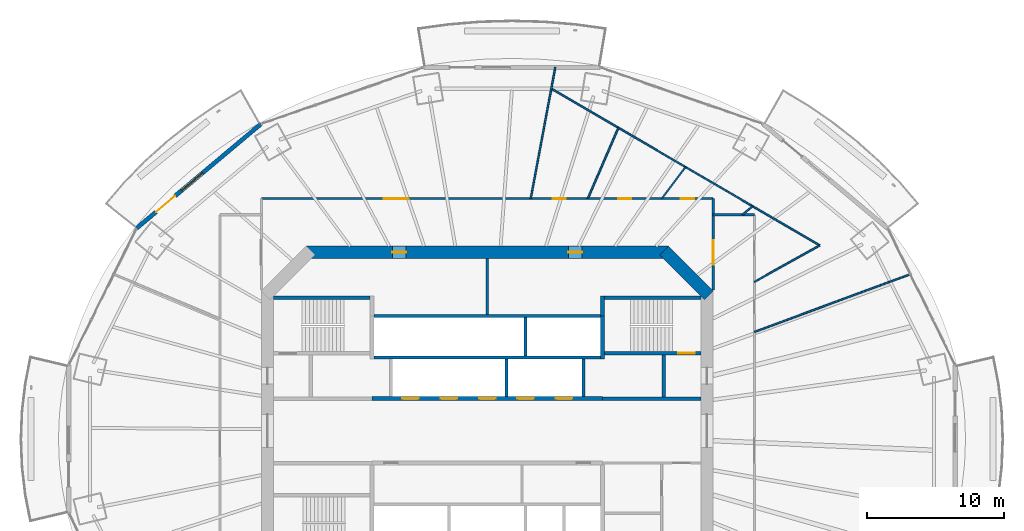
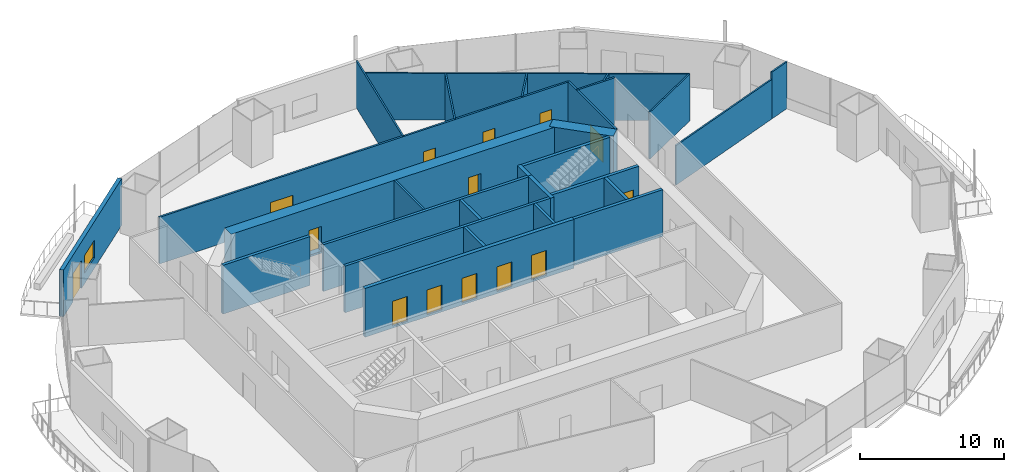
# One storey, part 14 of 21: 28 walls, 14 doors, 1 window, 15 openings.
"""IFC4 building model written with IfcOpenShell, lengths in metres."""

from ifc_helpers import new_model, si_unit, direction, frame, frame_2d, origin, place, context, subcontext, project, spatial, rectangle, extrude, material, layer, layer_set, type_object, element, fill, save


model = new_model("IFC4")

# Units and contexts
model_context = context("Model", 3, precision=1e-05, world=origin(), true_north=direction((0.0, 1.0)))
body_context = subcontext(model_context, "Body", "Model", "MODEL_VIEW")
ifc_project = project(units=[si_unit("LENGTHUNIT", "METRE"), si_unit("AREAUNIT", "SQUARE_METRE"), si_unit("VOLUMEUNIT", "CUBIC_METRE"), si_unit("PLANEANGLEUNIT", "RADIAN"), si_unit("MASSUNIT", "GRAM", prefix="KILO")], contexts=[model_context])

# Site, building, storey
site_placement = place(None, origin())
site = spatial("IfcSite", under=ifc_project, at=site_placement, CompositionType="ELEMENT")
building_placement = place(site_placement, origin())
building = spatial("IfcBuilding", under=site, at=building_placement, Name="Marenthal Gate Tower", CompositionType="ELEMENT")
storey_placement = place(building_placement, frame((0.0, 0.0, 161.050048828125)))
storey = spatial("IfcBuildingStorey", under=building, at=storey_placement, Name="L34", CompositionType="ELEMENT", Elevation=161.050048828125)

# Wall
ifc_material_1 = material(Name="Concrete 60 MPa", Category="concrete")
ifc_layer_1 = layer(ifc_material_1, 0.89990234375)
ifc_layer_set_1 = layer_set([ifc_layer_1], Name="Core shear wall 900")
wall_type_1 = type_object("IfcWallType", Name="Core shear wall 900", PredefinedType="SHEAR", material=ifc_layer_set_1)
wall_1_placement = place(storey_placement, frame((16.1318359375, 9.8681640625, -0.179931640625), z_axis=(0.0, 0.0, 1.0), x_axis=(-0.707106781187, 0.707106781187, 0.0)))
element("IfcWall", 1, at=wall_1_placement, inside=storey, type_object=wall_type_1, Name="Core wall 03", PredefinedType="SHEAR", context=body_context, shape_type="SweptSolid", body=[
    extrude(rectangle(XDim=4.615478515625, YDim=0.89990234375, at=frame_2d((2.3076171875, 0.0))), origin(), (0.0, 0.0, 1.0), 4.14990234375),
])

# Wall, openings, doors
wall_2_placement = place(storey_placement, frame((13.186279296875, 13.0, -0.179931640625), z_axis=(0.0, 0.0, 1.0), x_axis=(-1.0, 0.0, 0.0)))
wall_2 = element("IfcWall", 2, at=wall_2_placement, inside=storey, type_object=wall_type_1, Name="Core wall 04", PredefinedType="SHEAR", context=body_context, shape_type="SweptSolid", body=[
    extrude(rectangle(XDim=26.37255859375, YDim=0.89990234375, at=frame_2d((13.186279296875, 0.0))), origin(), (0.0, 0.0, 1.0), 4.14990234375),
])
opening_1_placement = place(wall_2_placement, frame((19.093505859375, 0.0, 0.179931640625)))
opening_1 = element("IfcOpeningElement", 3, at=opening_1_placement, cuts=wall_2, Name="Opening D005.03", PredefinedType="OPENING", context=body_context, shape_type="SweptSolid", body=[
    extrude(rectangle(XDim=1.0, YDim=2.10009765625, at=frame_2d((0.5, 1.050048828125))), frame((0.0, 0.4599609375, 0.0), z_axis=(0.0, -1.0, 0.0), x_axis=(1.0, 0.0, 0.0)), (0.0, 0.0, 1.0), 0.919921875),
])
opening_2_placement = place(wall_2_placement, frame((6.279296875, 0.0, 0.179931640625)))
opening_2 = element("IfcOpeningElement", 4, at=opening_2_placement, cuts=wall_2, Name="Opening D005.04", PredefinedType="OPENING", context=body_context, shape_type="SweptSolid", body=[
    extrude(rectangle(XDim=1.0, YDim=2.10009765625, at=frame_2d((0.5, 1.050048828125))), frame((0.0, 0.4599609375, 0.0), z_axis=(0.0, -1.0, 0.0), x_axis=(1.0, 0.0, 0.0)), (0.0, 0.0, 1.0), 0.919921875),
])
ifc_material_2 = material(Name="Steel fire door", Category="steel")
door_type_1 = type_object("IfcDoorType", Name="Fire door FD 45 1000 x 2100", OperationType="NOTDEFINED", PredefinedType="DOOR", material=ifc_material_2)
door_1_placement = place(opening_1_placement, origin())
door_1 = element("IfcDoor", 5, at=door_1_placement, inside=storey, type_object=door_type_1, Name="Door D005.03", OperationType="SINGLE_SWING_RIGHT", OverallHeight=2.10009765625, OverallWidth=1.0, PredefinedType="DOOR", context=body_context, shape_type="SweptSolid", body=[
    extrude(rectangle(XDim=1.0, YDim=2.10009765625, at=frame_2d((0.5, 1.050048828125))), frame((0.0, 0.02490234375, 0.0), z_axis=(0.0, -1.0, 0.0), x_axis=(1.0, 0.0, 0.0)), (0.0, 0.0, 1.0), 0.050048828125),
])
fill(opening_1, door_1)
door_2_placement = place(opening_2_placement, origin())
door_2 = element("IfcDoor", 6, at=door_2_placement, inside=storey, type_object=door_type_1, Name="Door D005.04", OperationType="SINGLE_SWING_RIGHT", OverallHeight=2.10009765625, OverallWidth=1.0, PredefinedType="DOOR", context=body_context, shape_type="SweptSolid", body=[
    extrude(rectangle(XDim=1.0, YDim=2.10009765625, at=frame_2d((0.5, 1.050048828125))), frame((0.0, 0.02490234375, 0.0), z_axis=(0.0, -1.0, 0.0), x_axis=(1.0, 0.0, 0.0)), (0.0, 0.0, 1.0), 0.050048828125),
])
fill(opening_2, door_2)

ifc_material_3 = material(Name="Concrete 50 MPa", Category="concrete")
ifc_layer_2 = layer(ifc_material_3, 0.300048828125)
ifc_layer_set_2 = layer_set([ifc_layer_2], Name="Hoistway shear wall 300")
wall_type_2 = type_object("IfcWallType", Name="Hoistway shear wall 300", PredefinedType="SHEAR", material=ifc_layer_set_2)
wall_3_placement = place(storey_placement, frame((-8.39990234375, 2.35009765625, -0.179931640625), z_axis=(0.0, 0.0, 1.0), x_axis=(1.0, 0.0, 0.0)))
wall_3 = element("IfcWall", 7, at=wall_3_placement, inside=storey, type_object=wall_type_2, Name="Hoistway wall 19", PredefinedType="SHEAR", context=body_context, shape_type="SweptSolid", body=[
    extrude(rectangle(XDim=16.7998046875, YDim=0.300048828125, at=frame_2d((8.39990234375, 0.0))), origin(), (0.0, 0.0, 1.0), 4.14990234375),
])
opening_3_placement = place(wall_3_placement, frame((2.199951171875, 0.0, 0.179931640625)))
opening_3 = element("IfcOpeningElement", 8, at=opening_3_placement, cuts=wall_3, Name="Opening LD-MP1", PredefinedType="OPENING", context=body_context, shape_type="SweptSolid", body=[
    extrude(rectangle(XDim=1.199951171875, YDim=2.10009765625, at=frame_2d((0.60009765625, 1.050048828125))), frame((0.0, 0.16015625, 0.0), z_axis=(0.0, -1.0, 0.0), x_axis=(1.0, 0.0, 0.0)), (0.0, 0.0, 1.0), 0.320068359375),
])
opening_4_placement = place(wall_3_placement, frame((5.0, 0.0, 0.179931640625)))
opening_4 = element("IfcOpeningElement", 9, at=opening_4_placement, cuts=wall_3, Name="Opening LD-MP2", PredefinedType="OPENING", context=body_context, shape_type="SweptSolid", body=[
    extrude(rectangle(XDim=1.199951171875, YDim=2.10009765625, at=frame_2d((0.60009765625, 1.050048828125))), frame((0.0, 0.16015625, 0.0), z_axis=(0.0, -1.0, 0.0), x_axis=(1.0, 0.0, 0.0)), (0.0, 0.0, 1.0), 0.320068359375),
])
opening_5_placement = place(wall_3_placement, frame((7.800048828125, 0.0, 0.179931640625)))
opening_5 = element("IfcOpeningElement", 10, at=opening_5_placement, cuts=wall_3, Name="Opening LD-MP3", PredefinedType="OPENING", context=body_context, shape_type="SweptSolid", body=[
    extrude(rectangle(XDim=1.199951171875, YDim=2.10009765625, at=frame_2d((0.60009765625, 1.050048828125))), frame((0.0, 0.16015625, 0.0), z_axis=(0.0, -1.0, 0.0), x_axis=(1.0, 0.0, 0.0)), (0.0, 0.0, 1.0), 0.320068359375),
])
opening_6_placement = place(wall_3_placement, frame((10.60009765625, 0.0, 0.179931640625)))
opening_6 = element("IfcOpeningElement", 11, at=opening_6_placement, cuts=wall_3, Name="Opening LD-MP4", PredefinedType="OPENING", context=body_context, shape_type="SweptSolid", body=[
    extrude(rectangle(XDim=1.199951171875, YDim=2.10009765625, at=frame_2d((0.60009765625, 1.050048828125))), frame((0.0, 0.16015625, 0.0), z_axis=(0.0, -1.0, 0.0), x_axis=(1.0, 0.0, 0.0)), (0.0, 0.0, 1.0), 0.320068359375),
])
opening_7_placement = place(wall_3_placement, frame((13.39990234375, 0.0, 0.179931640625)))
opening_7 = element("IfcOpeningElement", 12, at=opening_7_placement, cuts=wall_3, Name="Opening LD-MP5", PredefinedType="OPENING", context=body_context, shape_type="SweptSolid", body=[
    extrude(rectangle(XDim=1.199951171875, YDim=2.10009765625, at=frame_2d((0.60009765625, 1.050048828125))), frame((0.0, 0.16015625, 0.0), z_axis=(0.0, -1.0, 0.0), x_axis=(1.0, 0.0, 0.0)), (0.0, 0.0, 1.0), 0.320068359375),
])
ifc_material_4 = material(Name="Stainless steel sliding door", Category="steel")
door_type_2 = type_object("IfcDoorType", Name="Lift landing door FD 90 1200 x 2100", OperationType="DOUBLE_DOOR_SLIDING", PredefinedType="DOOR", material=ifc_material_4)
door_3_placement = place(opening_3_placement, origin())
door_3 = element("IfcDoor", 13, at=door_3_placement, inside=storey, type_object=door_type_2, Name="Lift landing door MP1", OperationType="DOUBLE_DOOR_SLIDING", OverallHeight=2.10009765625, OverallWidth=1.199951171875, PredefinedType="DOOR", context=body_context, shape_type="SweptSolid", body=[
    extrude(rectangle(XDim=1.199951171875, YDim=2.10009765625, at=frame_2d((0.60009765625, 1.050048828125))), frame((0.0, 0.02490234375, 0.0), z_axis=(0.0, -1.0, 0.0), x_axis=(1.0, 0.0, 0.0)), (0.0, 0.0, 1.0), 0.050048828125),
])
fill(opening_3, door_3)
door_4_placement = place(opening_4_placement, origin())
door_4 = element("IfcDoor", 14, at=door_4_placement, inside=storey, type_object=door_type_2, Name="Lift landing door MP2", OperationType="DOUBLE_DOOR_SLIDING", OverallHeight=2.10009765625, OverallWidth=1.199951171875, PredefinedType="DOOR", context=body_context, shape_type="SweptSolid", body=[
    extrude(rectangle(XDim=1.199951171875, YDim=2.10009765625, at=frame_2d((0.60009765625, 1.050048828125))), frame((0.0, 0.02490234375, 0.0), z_axis=(0.0, -1.0, 0.0), x_axis=(1.0, 0.0, 0.0)), (0.0, 0.0, 1.0), 0.050048828125),
])
fill(opening_4, door_4)
door_5_placement = place(opening_5_placement, origin())
door_5 = element("IfcDoor", 15, at=door_5_placement, inside=storey, type_object=door_type_2, Name="Lift landing door MP3", OperationType="DOUBLE_DOOR_SLIDING", OverallHeight=2.10009765625, OverallWidth=1.199951171875, PredefinedType="DOOR", context=body_context, shape_type="SweptSolid", body=[
    extrude(rectangle(XDim=1.199951171875, YDim=2.10009765625, at=frame_2d((0.60009765625, 1.050048828125))), frame((0.0, 0.02490234375, 0.0), z_axis=(0.0, -1.0, 0.0), x_axis=(1.0, 0.0, 0.0)), (0.0, 0.0, 1.0), 0.050048828125),
])
fill(opening_5, door_5)
door_6_placement = place(opening_6_placement, origin())
door_6 = element("IfcDoor", 16, at=door_6_placement, inside=storey, type_object=door_type_2, Name="Lift landing door MP4", OperationType="DOUBLE_DOOR_SLIDING", OverallHeight=2.10009765625, OverallWidth=1.199951171875, PredefinedType="DOOR", context=body_context, shape_type="SweptSolid", body=[
    extrude(rectangle(XDim=1.199951171875, YDim=2.10009765625, at=frame_2d((0.60009765625, 1.050048828125))), frame((0.0, 0.02490234375, 0.0), z_axis=(0.0, -1.0, 0.0), x_axis=(1.0, 0.0, 0.0)), (0.0, 0.0, 1.0), 0.050048828125),
])
fill(opening_6, door_6)
door_7_placement = place(opening_7_placement, origin())
door_7 = element("IfcDoor", 17, at=door_7_placement, inside=storey, type_object=door_type_2, Name="Lift landing door MP5", OperationType="DOUBLE_DOOR_SLIDING", OverallHeight=2.10009765625, OverallWidth=1.199951171875, PredefinedType="DOOR", context=body_context, shape_type="SweptSolid", body=[
    extrude(rectangle(XDim=1.199951171875, YDim=2.10009765625, at=frame_2d((0.60009765625, 1.050048828125))), frame((0.0, 0.02490234375, 0.0), z_axis=(0.0, -1.0, 0.0), x_axis=(1.0, 0.0, 0.0)), (0.0, 0.0, 1.0), 0.050048828125),
])
fill(opening_7, door_7)

# Walls
wall_4_placement = place(storey_placement, frame((8.39990234375, 5.239990234375, -0.179931640625), z_axis=(0.0, 0.0, 1.0), x_axis=(0.0, 1.0, 0.0)))
element("IfcWall", 18, at=wall_4_placement, inside=storey, type_object=wall_type_2, Name="Hoistway wall 45", PredefinedType="SHEAR", context=body_context, shape_type="SweptSolid", body=[
    extrude(rectangle(XDim=3.110107421875, YDim=0.300048828125, at=frame_2d((1.55517578125, 0.0))), origin(), (0.0, 0.0, 1.0), 4.14990234375),
])
ifc_material_5 = material(Name="Concrete 40 MPa", Category="concrete")
ifc_layer_3 = layer(ifc_material_5, 0.219970703125)
ifc_layer_set_3 = layer_set([ifc_layer_3], Name="Hoistway wall 220")
wall_type_3 = type_object("IfcWallType", Name="Hoistway wall 220", PredefinedType="STANDARD", material=ifc_layer_set_3)
for number, where, z_axis, x_axis, name in (
    (19, (-8.25, 5.35009765625, 0.0), (0.0, 0.0, 1.0), (1.0, 0.0, 0.0), "Hoistway wall 21"),
    (20, (-8.25, 8.35009765625, 0.0), (0.0, 0.0, 1.0), (1.0, 0.0, 0.0), "Hoistway wall 24"),
):
    element("IfcWall", number, at=place(storey_placement, frame(where, z_axis=z_axis, x_axis=x_axis)), inside=storey, type_object=wall_type_3, Name=name, PredefinedType="STANDARD", context=body_context, shape_type="SweptSolid", body=[
        extrude(rectangle(XDim=16.5, YDim=0.219970703125, at=frame_2d((8.25, 0.0))), origin(), (0.0, 0.0, 1.0), 3.969970703125),
    ])
wall_5_placement = place(storey_placement, frame((1.39990234375, 2.5, 0.0), z_axis=(0.0, 0.0, 1.0), x_axis=(0.0, 1.0, 0.0)))
element("IfcWall", 21, at=wall_5_placement, inside=storey, type_object=wall_type_3, Name="Hoistway wall 37", PredefinedType="STANDARD", context=body_context, shape_type="SweptSolid", body=[
    extrude(rectangle(XDim=2.739990234375, YDim=0.219970703125, at=frame_2d((1.3701171875, 0.0))), origin(), (0.0, 0.0, 1.0), 3.969970703125),
])
wall_6_placement = place(storey_placement, frame((2.800048828125, 5.4599609375, 0.0), z_axis=(0.0, 0.0, 1.0), x_axis=(0.0, 1.0, 0.0)))
element("IfcWall", 22, at=wall_6_placement, inside=storey, type_object=wall_type_3, Name="Hoistway wall 40", PredefinedType="STANDARD", context=body_context, shape_type="SweptSolid", body=[
    extrude(rectangle(XDim=2.780029296875, YDim=0.219970703125, at=frame_2d((1.39013671875, 0.0))), origin(), (0.0, 0.0, 1.0), 3.969970703125),
])
wall_7_placement = place(storey_placement, frame((7.0, 2.5, 0.0), z_axis=(0.0, 0.0, 1.0), x_axis=(0.0, 1.0, 0.0)))
element("IfcWall", 23, at=wall_7_placement, inside=storey, type_object=wall_type_3, Name="Hoistway wall 42", PredefinedType="STANDARD", context=body_context, shape_type="SweptSolid", body=[
    extrude(rectangle(XDim=2.739990234375, YDim=0.219970703125, at=frame_2d((1.3701171875, 0.0))), origin(), (0.0, 0.0, 1.0), 3.969970703125),
])
ifc_material_6 = material(Name="Gypsum board on steel studs", Category="steel")
ifc_layer_4 = layer(ifc_material_6, 0.1201171875)
ifc_layer_set_4 = layer_set([ifc_layer_4], Name="Partition 120")
wall_type_4 = type_object("IfcWallType", Name="Partition 120", PredefinedType="PARTITIONING", material=ifc_layer_set_4)
wall_8_placement = place(storey_placement, frame((3.162109375, 16.90380859375, 0.0), z_axis=(0.0, 0.0, 1.0), x_axis=(0.183861029676, 0.982952247958, 0.0)))
element("IfcWall", 24, at=wall_8_placement, inside=storey, type_object=wall_type_4, Name="Partition wall 58", PredefinedType="PARTITIONING", context=body_context, shape_type="SweptSolid", body=[
    extrude(rectangle(XDim=9.723876953125, YDim=0.1201171875, at=frame_2d((4.86181640625, 0.0))), origin(), (0.0, 0.0, 1.0), 3.969970703125),
])
wall_9_placement = place(storey_placement, frame((9.547119140625, 22.0625, 0.0), z_axis=(0.0, 0.0, 1.0), x_axis=(-0.397156395758, -0.917750945142, 0.0)))
element("IfcWall", 25, at=wall_9_placement, inside=storey, type_object=wall_type_4, Name="Partition wall 60", PredefinedType="PARTITIONING", context=body_context, shape_type="SweptSolid", body=[
    extrude(rectangle(XDim=5.62109375, YDim=0.1201171875, at=frame_2d((2.810546875, 0.0))), origin(), (0.0, 0.0, 1.0), 3.969970703125),
])
wall_10_placement = place(storey_placement, frame((14.43310546875, 19.208984375, 0.0), z_axis=(0.0, 0.0, 1.0), x_axis=(-0.600731295076, -0.799451006076, 0.0)))
element("IfcWall", 26, at=wall_10_placement, inside=storey, type_object=wall_type_4, Name="Partition wall 61", PredefinedType="PARTITIONING", context=body_context, shape_type="SweptSolid", body=[
    extrude(rectangle(XDim=2.883544921875, YDim=0.1201171875, at=frame_2d((1.44189453125, 0.0))), origin(), (0.0, 0.0, 1.0), 3.969970703125),
])
wall_11_placement = place(storey_placement, frame((19.3193359375, 16.355712890625, 0.0), z_axis=(0.0, 0.0, 1.0), x_axis=(-0.763098484836, -0.646282215786, 0.0)))
element("IfcWall", 27, at=wall_11_placement, inside=storey, type_object=wall_type_4, Name="Partition wall 64", PredefinedType="PARTITIONING", context=body_context, shape_type="SweptSolid", body=[
    extrude(rectangle(XDim=0.965576171875, YDim=0.1201171875, at=frame_2d((0.48291015625, 0.0))), origin(), (0.0, 0.0, 1.0), 3.969970703125),
])
wall_12_placement = place(storey_placement, frame((19.449951171875, 7.202880859375, 0.0), z_axis=(0.0, 0.0, 1.0), x_axis=(0.937756089428, 0.347294567682, 0.0)))
element("IfcWall", 28, at=wall_12_placement, inside=storey, type_object=wall_type_4, Name="Partition wall 66", PredefinedType="PARTITIONING", context=body_context, shape_type="SweptSolid", body=[
    extrude(rectangle(XDim=10.44775390625, YDim=0.1201171875, at=frame_2d((5.223876953125, 0.0))), origin(), (0.0, 0.0, 1.0), 3.35791015625),
])
wall_13_placement = place(storey_placement, frame((29.247314453125, 10.831298828125, 0.0), z_axis=(0.0, 0.0, 1.0), x_axis=(0.937796889534, 0.347184380381, 0.0)))
element("IfcWall", 29, at=wall_13_placement, inside=storey, type_object=wall_type_4, Name="Partition wall 72", PredefinedType="PARTITIONING", context=body_context, shape_type="SweptSolid", body=[
    extrude(rectangle(XDim=1.65185546875, YDim=0.1201171875, at=frame_2d((0.825927734375, 0.0))), origin(), (0.0, 0.0, 1.0), 3.969970703125),
])
wall_14_placement = place(storey_placement, frame((24.20556640625, 13.50244140625, 0.0), z_axis=(0.0, 0.0, 1.0), x_axis=(-0.863538195042, 0.504283437864, 0.0)))
element("IfcWall", 30, at=wall_14_placement, inside=storey, type_object=wall_type_4, Name="Partition wall 68", PredefinedType="PARTITIONING", context=body_context, shape_type="SweptSolid", body=[
    extrude(rectangle(XDim=22.63330078125, YDim=0.1201171875, at=frame_2d((11.316650390625, 0.0))), origin(), (0.0, 0.0, 1.0), 3.969970703125),
])
wall_15_placement = place(storey_placement, frame((24.20556640625, 13.50244140625, 0.0), z_axis=(0.0, 0.0, 1.0), x_axis=(-0.873312155931, -0.487161039394, 0.0)))
element("IfcWall", 31, at=wall_15_placement, inside=storey, type_object=wall_type_4, Name="Partition wall 69", PredefinedType="PARTITIONING", context=body_context, shape_type="SweptSolid", body=[
    extrude(rectangle(XDim=5.445556640625, YDim=0.1201171875, at=frame_2d((2.72265625, 0.0))), origin(), (0.0, 0.0, 1.0), 3.969970703125),
])
ifc_material_7 = material(Name="Gypsum board on steel studs", Category="steel")
ifc_layer_5 = layer(ifc_material_7, 0.14990234375)
ifc_layer_set_5 = layer_set([ifc_layer_5], Name="Partition 150")
wall_type_5 = type_object("IfcWallType", Name="Partition 150", PredefinedType="PARTITIONING", material=ifc_layer_set_5)
wall_16_placement = place(storey_placement, frame((0.0, 8.4599609375, 0.0), z_axis=(0.0, 0.0, 1.0), x_axis=(0.0, 1.0, 0.0)))
element("IfcWall", 32, at=wall_16_placement, inside=storey, type_object=wall_type_5, Name="Partition wall 36", PredefinedType="PARTITIONING", context=body_context, shape_type="SweptSolid", body=[
    extrude(rectangle(XDim=4.090087890625, YDim=0.14990234375, at=frame_2d((2.044921875, 0.0))), origin(), (0.0, 0.0, 1.0), 3.969970703125),
])

# Wall, openings, doors
wall_17_placement = place(storey_placement, frame((-16.449951171875, 16.90380859375, 0.0), z_axis=(0.0, 0.0, 1.0), x_axis=(1.0, 0.0, 0.0)))
wall_17 = element("IfcWall", 33, at=wall_17_placement, inside=storey, type_object=wall_type_5, Name="Partition wall 54", PredefinedType="PARTITIONING", context=body_context, shape_type="SweptSolid", body=[
    extrude(rectangle(XDim=32.89990234375, YDim=0.14990234375, at=frame_2d((16.449951171875, 0.0))), origin(), (0.0, 0.0, 1.0), 3.969970703125),
])
opening_8_placement = place(wall_17_placement, frame((30.550048828125, 0.0, 0.0)))
opening_8 = element("IfcOpeningElement", 34, at=opening_8_placement, cuts=wall_17, Name="Opening D016.02", PredefinedType="OPENING", context=body_context, shape_type="SweptSolid", body=[
    extrude(rectangle(XDim=0.949951171875, YDim=2.10009765625, at=frame_2d((0.47509765625, 1.050048828125))), frame((0.0, 0.0849609375, 0.0), z_axis=(0.0, -1.0, 0.0), x_axis=(1.0, 0.0, 0.0)), (0.0, 0.0, 1.0), 0.169921875),
])
opening_9_placement = place(wall_17_placement, frame((25.98291015625, 0.0, 0.0)))
opening_9 = element("IfcOpeningElement", 35, at=opening_9_placement, cuts=wall_17, Name="Opening D016.03", PredefinedType="OPENING", context=body_context, shape_type="SweptSolid", body=[
    extrude(rectangle(XDim=0.949951171875, YDim=2.10009765625, at=frame_2d((0.47509765625, 1.050048828125))), frame((0.0, 0.0849609375, 0.0), z_axis=(0.0, -1.0, 0.0), x_axis=(1.0, 0.0, 0.0)), (0.0, 0.0, 1.0), 0.169921875),
])
opening_10_placement = place(wall_17_placement, frame((21.212890625, 0.0, 0.0)))
opening_10 = element("IfcOpeningElement", 36, at=opening_10_placement, cuts=wall_17, Name="Opening D016.04", PredefinedType="OPENING", context=body_context, shape_type="SweptSolid", body=[
    extrude(rectangle(XDim=0.949951171875, YDim=2.10009765625, at=frame_2d((0.47509765625, 1.050048828125))), frame((0.0, 0.0849609375, 0.0), z_axis=(0.0, -1.0, 0.0), x_axis=(1.0, 0.0, 0.0)), (0.0, 0.0, 1.0), 0.169921875),
])
opening_11_placement = place(wall_17_placement, frame((8.906005859375, 0.0, 0.0)))
opening_11 = element("IfcOpeningElement", 37, at=opening_11_placement, cuts=wall_17, Name="Opening D014.01", PredefinedType="OPENING", context=body_context, shape_type="SweptSolid", body=[
    extrude(rectangle(XDim=1.800048828125, YDim=2.10009765625, at=frame_2d((0.89990234375, 1.050048828125))), frame((0.0, 0.0849609375, 0.0), z_axis=(0.0, -1.0, 0.0), x_axis=(1.0, 0.0, 0.0)), (0.0, 0.0, 1.0), 0.169921875),
])
ifc_material_8 = material(Name="Timber door", Category="wood")
door_type_3 = type_object("IfcDoorType", Name="Door 950 x 2100", OperationType="NOTDEFINED", PredefinedType="DOOR", material=ifc_material_8)
door_8_placement = place(opening_8_placement, origin())
door_8 = element("IfcDoor", 38, at=door_8_placement, inside=storey, type_object=door_type_3, Name="Door D016.02", OperationType="SINGLE_SWING_RIGHT", OverallHeight=2.10009765625, OverallWidth=0.949951171875, PredefinedType="DOOR", context=body_context, shape_type="SweptSolid", body=[
    extrude(rectangle(XDim=0.949951171875, YDim=2.10009765625, at=frame_2d((0.47509765625, 1.050048828125))), frame((0.0, 0.02490234375, 0.0), z_axis=(0.0, -1.0, 0.0), x_axis=(1.0, 0.0, 0.0)), (0.0, 0.0, 1.0), 0.050048828125),
])
fill(opening_8, door_8)
door_9_placement = place(opening_9_placement, origin())
door_9 = element("IfcDoor", 39, at=door_9_placement, inside=storey, type_object=door_type_3, Name="Door D016.03", OperationType="SINGLE_SWING_RIGHT", OverallHeight=2.10009765625, OverallWidth=0.949951171875, PredefinedType="DOOR", context=body_context, shape_type="SweptSolid", body=[
    extrude(rectangle(XDim=0.949951171875, YDim=2.10009765625, at=frame_2d((0.47509765625, 1.050048828125))), frame((0.0, 0.02490234375, 0.0), z_axis=(0.0, -1.0, 0.0), x_axis=(1.0, 0.0, 0.0)), (0.0, 0.0, 1.0), 0.050048828125),
])
fill(opening_9, door_9)
door_10_placement = place(opening_10_placement, origin())
door_10 = element("IfcDoor", 40, at=door_10_placement, inside=storey, type_object=door_type_3, Name="Door D016.04", OperationType="SINGLE_SWING_RIGHT", OverallHeight=2.10009765625, OverallWidth=0.949951171875, PredefinedType="DOOR", context=body_context, shape_type="SweptSolid", body=[
    extrude(rectangle(XDim=0.949951171875, YDim=2.10009765625, at=frame_2d((0.47509765625, 1.050048828125))), frame((0.0, 0.02490234375, 0.0), z_axis=(0.0, -1.0, 0.0), x_axis=(1.0, 0.0, 0.0)), (0.0, 0.0, 1.0), 0.050048828125),
])
fill(opening_10, door_10)
ifc_material_9 = material(Name="Timber door", Category="wood")
door_type_4 = type_object("IfcDoorType", Name="Double door 1800 x 2100", OperationType="DOUBLE_DOOR_SINGLE_SWING", PredefinedType="DOOR", material=ifc_material_9)
door_11_placement = place(opening_11_placement, origin())
door_11 = element("IfcDoor", 41, at=door_11_placement, inside=storey, type_object=door_type_4, Name="Door D014.01", OperationType="DOUBLE_DOOR_SINGLE_SWING", OverallHeight=2.10009765625, OverallWidth=1.800048828125, PredefinedType="DOOR", context=body_context, shape_type="SweptSolid", body=[
    extrude(rectangle(XDim=1.800048828125, YDim=2.10009765625, at=frame_2d((0.89990234375, 1.050048828125))), frame((0.0, 0.02490234375, 0.0), z_axis=(0.0, -1.0, 0.0), x_axis=(1.0, 0.0, 0.0)), (0.0, 0.0, 1.0), 0.050048828125),
])
fill(opening_11, door_11)

# Wall, opening, door
wall_18_placement = place(storey_placement, frame((16.449951171875, 10.25, 0.0), z_axis=(0.0, 0.0, 1.0), x_axis=(0.0, 1.0, 0.0)))
wall_18 = element("IfcWall", 42, at=wall_18_placement, inside=storey, type_object=wall_type_5, Name="Partition wall 62", PredefinedType="PARTITIONING", context=body_context, shape_type="SweptSolid", body=[
    extrude(rectangle(XDim=6.65380859375, YDim=0.14990234375, at=frame_2d((3.326904296875, 0.0))), origin(), (0.0, 0.0, 1.0), 3.969970703125),
])
opening_12_placement = place(wall_18_placement, frame((1.841064453125, 0.0, 0.0)))
opening_12 = element("IfcOpeningElement", 43, at=opening_12_placement, cuts=wall_18, Name="Opening D014.06", PredefinedType="OPENING", context=body_context, shape_type="SweptSolid", body=[
    extrude(rectangle(XDim=1.800048828125, YDim=2.10009765625, at=frame_2d((0.89990234375, 1.050048828125))), frame((0.0, 0.0849609375, 0.0), z_axis=(0.0, -1.0, 0.0), x_axis=(1.0, 0.0, 0.0)), (0.0, 0.0, 1.0), 0.169921875),
])
door_12_placement = place(opening_12_placement, origin())
door_12 = element("IfcDoor", 44, at=door_12_placement, inside=storey, type_object=door_type_4, Name="Door D014.06", OperationType="DOUBLE_DOOR_SINGLE_SWING", OverallHeight=2.10009765625, OverallWidth=1.800048828125, PredefinedType="DOOR", context=body_context, shape_type="SweptSolid", body=[
    extrude(rectangle(XDim=1.800048828125, YDim=2.10009765625, at=frame_2d((0.89990234375, 1.050048828125))), frame((0.0, 0.02490234375, 0.0), z_axis=(0.0, -1.0, 0.0), x_axis=(1.0, 0.0, 0.0)), (0.0, 0.0, 1.0), 0.050048828125),
])
fill(opening_12, door_12)

# Walls
wall_19_placement = place(storey_placement, frame((16.449951171875, 15.731689453125, 0.0), z_axis=(0.0, 0.0, 1.0), x_axis=(1.0, 0.0, 0.0)))
element("IfcWall", 45, at=wall_19_placement, inside=storey, type_object=wall_type_5, Name="Partition wall 63", PredefinedType="PARTITIONING", context=body_context, shape_type="SweptSolid", body=[
    extrude(rectangle(XDim=3.0, YDim=0.14990234375, at=frame_2d((1.5, 0.0))), origin(), (0.0, 0.0, 1.0), 3.969970703125),
])
ifc_material_10 = material(Name="Concrete 40 MPa", Category="concrete")
ifc_layer_6 = layer(ifc_material_10, 0.25)
ifc_layer_set_6 = layer_set([ifc_layer_6], Name="Stair enclosure wall 250")
wall_type_6 = type_object("IfcWallType", Name="Stair enclosure wall 250", PredefinedType="STANDARD", material=ifc_layer_set_6)
wall_20_placement = place(storey_placement, frame((8.39990234375, 2.35009765625, 0.0), z_axis=(0.0, 0.0, 1.0), x_axis=(1.0, 0.0, 0.0)))
element("IfcWall", 46, at=wall_20_placement, inside=storey, type_object=wall_type_6, Name="Stair wall 20", PredefinedType="STANDARD", context=body_context, shape_type="SweptSolid", body=[
    extrude(rectangle(XDim=7.150146484375, YDim=0.25, at=frame_2d((3.5751953125, 0.0))), origin(), (0.0, 0.0, 1.0), 3.969970703125),
])
wall_21_placement = place(storey_placement, frame((12.85009765625, 2.47509765625, 0.0), z_axis=(0.0, 0.0, 1.0), x_axis=(0.0, 1.0, 0.0)))
element("IfcWall", 47, at=wall_21_placement, inside=storey, type_object=wall_type_6, Name="Stair wall 48", PredefinedType="STANDARD", context=body_context, shape_type="SweptSolid", body=[
    extrude(rectangle(XDim=3.0498046875, YDim=0.25, at=frame_2d((1.52490234375, 0.0))), origin(), (0.0, 0.0, 1.0), 3.969970703125),
])

# Wall, opening, door
ifc_material_11 = material(Name="Concrete 50 MPa", Category="concrete")
ifc_layer_7 = layer(ifc_material_11, 0.25)
ifc_layer_set_7 = layer_set([ifc_layer_7], Name="Stair shear wall 250")
wall_type_7 = type_object("IfcWallType", Name="Stair shear wall 250", PredefinedType="SHEAR", material=ifc_layer_set_7)
wall_22_placement = place(storey_placement, frame((8.550048828125, 5.64990234375, -0.179931640625), z_axis=(0.0, 0.0, 1.0), x_axis=(1.0, 0.0, 0.0)))
wall_22 = element("IfcWall", 48, at=wall_22_placement, inside=storey, type_object=wall_type_7, Name="Stair wall 23", PredefinedType="SHEAR", context=body_context, shape_type="SweptSolid", body=[
    extrude(rectangle(XDim=7.0, YDim=0.25, at=frame_2d((3.5, 0.0))), origin(), (0.0, 0.0, 1.0), 4.14990234375),
])
opening_13_placement = place(wall_22_placement, frame((5.35009765625, 0.0, 0.179931640625)))
opening_13 = element("IfcOpeningElement", 49, at=opening_13_placement, cuts=wall_22, Name="Opening D001.02", PredefinedType="OPENING", context=body_context, shape_type="SweptSolid", body=[
    extrude(rectangle(XDim=1.199951171875, YDim=2.10009765625, at=frame_2d((0.60009765625, 1.050048828125))), frame((0.0, 0.135009765625, 0.0), z_axis=(0.0, -1.0, 0.0), x_axis=(1.0, 0.0, 0.0)), (0.0, 0.0, 1.0), 0.27001953125),
])
ifc_material_12 = material(Name="Steel fire door", Category="steel")
door_type_5 = type_object("IfcDoorType", Name="Fire door FD 90 1200 x 2100", OperationType="NOTDEFINED", PredefinedType="DOOR", material=ifc_material_12)
door_13_placement = place(opening_13_placement, origin())
door_13 = element("IfcDoor", 50, at=door_13_placement, inside=storey, type_object=door_type_5, Name="Door D001.02", OperationType="SINGLE_SWING_RIGHT", OverallHeight=2.10009765625, OverallWidth=1.199951171875, PredefinedType="DOOR", context=body_context, shape_type="SweptSolid", body=[
    extrude(rectangle(XDim=1.199951171875, YDim=2.10009765625, at=frame_2d((0.60009765625, 1.050048828125))), frame((0.0, 0.02490234375, 0.0), z_axis=(0.0, -1.0, 0.0), x_axis=(1.0, 0.0, 0.0)), (0.0, 0.0, 1.0), 0.050048828125),
])
fill(opening_13, door_13)

# Walls
for number, where, z_axis, x_axis, name in (
    (51, (-15.550048828125, 9.699951171875, -0.179931640625), (0.0, 0.0, 1.0), (1.0, 0.0, 0.0), "Stair wall 25"),
    (52, (8.550048828125, 9.699951171875, -0.179931640625), (0.0, 0.0, 1.0), (1.0, 0.0, 0.0), "Stair wall 26"),
):
    element("IfcWall", number, at=place(storey_placement, frame(where, z_axis=z_axis, x_axis=x_axis)), inside=storey, type_object=wall_type_7, Name=name, PredefinedType="SHEAR", context=body_context, shape_type="SweptSolid", body=[
        extrude(rectangle(XDim=7.0, YDim=0.25, at=frame_2d((3.5, 0.0))), origin(), (0.0, 0.0, 1.0), 4.14990234375),
    ])
ifc_material_13 = material(Name="Concrete 50 MPa", Category="concrete")
ifc_layer_8 = layer(ifc_material_13, 0.300048828125)
ifc_layer_set_8 = layer_set([ifc_layer_8], Name="Stair shear wall 300")
wall_type_8 = type_object("IfcWallType", Name="Stair shear wall 300", PredefinedType="SHEAR", material=ifc_layer_set_8)
wall_23_placement = place(storey_placement, frame((8.39990234375, 8.35009765625, -0.179931640625), z_axis=(0.0, 0.0, 1.0), x_axis=(0.0, 1.0, 0.0)))
element("IfcWall", 53, at=wall_23_placement, inside=storey, type_object=wall_type_8, Name="Stair wall 46", PredefinedType="SHEAR", context=body_context, shape_type="SweptSolid", body=[
    extrude(rectangle(XDim=1.474853515625, YDim=0.300048828125, at=frame_2d((0.7373046875, 0.0))), origin(), (0.0, 0.0, 1.0), 4.14990234375),
])

# Wall, openings, door, window
ifc_material_14 = material(Name="Terracotta cladding on insulated concrete-block backing", Category="masonry")
ifc_layer_9 = layer(ifc_material_14, 0.300048828125)
ifc_layer_set_9 = layer_set([ifc_layer_9], Name="Terracotta facade wall 300")
wall_type_9 = type_object("IfcWallType", Name="Terracotta facade wall 300", PredefinedType="SOLIDWALL", material=ifc_layer_set_9)
wall_24_placement = place(storey_placement, frame((-16.477783203125, 22.341796875, 0.0), z_axis=(0.0, 0.0, 1.0), x_axis=(-0.766197107622, -0.642605627327, 0.0)))
wall_24 = element("IfcWall", 54, at=wall_24_placement, inside=storey, type_object=wall_type_9, Name="Terracotta facade wall L34 bay 6", PredefinedType="SOLIDWALL", context=body_context, shape_type="SweptSolid", body=[
    extrude(rectangle(XDim=11.846435546875, YDim=0.300048828125, at=frame_2d((5.92333984375, 0.0))), origin(), (0.0, 0.0, 1.0), 3.969970703125),
])
opening_14_placement = place(wall_24_placement, frame((8.146484375, 0.0, 0.0)))
opening_14 = element("IfcOpeningElement", 55, at=opening_14_placement, cuts=wall_24, Name="Opening BD-L34-06", PredefinedType="OPENING", context=body_context, shape_type="SweptSolid", body=[
    extrude(rectangle(XDim=1.800048828125, YDim=2.39990234375, at=frame_2d((0.89990234375, 1.199951171875))), frame((0.0, 0.16015625, 0.0), z_axis=(0.0, -1.0, 0.0), x_axis=(1.0, 0.0, 0.0)), (0.0, 0.0, 1.0), 0.320068359375),
])
opening_15_placement = place(wall_24_placement, frame((5.54638671875, 0.0, 0.89990234375)))
opening_15 = element("IfcOpeningElement", 56, at=opening_15_placement, cuts=wall_24, Name="Opening WN2-L34-06", PredefinedType="OPENING", context=body_context, shape_type="SweptSolid", body=[
    extrude(rectangle(XDim=2.0, YDim=1.5, at=frame_2d((1.0, 0.75))), frame((0.0, 0.16015625, 0.0), z_axis=(0.0, -1.0, 0.0), x_axis=(1.0, 0.0, 0.0)), (0.0, 0.0, 1.0), 0.320068359375),
])
ifc_material_15 = material(Name="Aluminium and glass", Category="aluminium")
door_type_6 = type_object("IfcDoorType", Name="Balcony door 1800x2400", OperationType="DOUBLE_DOOR_SINGLE_SWING", PredefinedType="DOOR", material=ifc_material_15)
door_14_placement = place(opening_14_placement, origin())
door_14 = element("IfcDoor", 57, at=door_14_placement, inside=storey, type_object=door_type_6, Name="Balcony door L34 bay 6", OperationType="SINGLE_SWING_LEFT", OverallHeight=2.39990234375, OverallWidth=1.800048828125, PredefinedType="DOOR", context=body_context, shape_type="SweptSolid", body=[
    extrude(rectangle(XDim=1.800048828125, YDim=2.39990234375, at=frame_2d((0.89990234375, 1.199951171875))), frame((0.0, 0.02490234375, 0.0), z_axis=(0.0, -1.0, 0.0), x_axis=(1.0, 0.0, 0.0)), (0.0, 0.0, 1.0), 0.050048828125),
])
fill(opening_14, door_14)
ifc_material_16 = material(Name="Aluminium and glass", Category="aluminium")
window_type = type_object("IfcWindowType", Name="Window 2000x1500", PartitioningType="DOUBLE_PANEL_VERTICAL", PredefinedType="WINDOW", material=ifc_material_16)
window_placement = place(opening_15_placement, origin())
window = element("IfcWindow", 58, at=window_placement, inside=storey, type_object=window_type, Name="Window L34 bay 6", OverallHeight=1.5, OverallWidth=2.0, PartitioningType="SINGLE_PANEL", PredefinedType="WINDOW", context=body_context, shape_type="SweptSolid", body=[
    extrude(rectangle(XDim=2.0, YDim=1.5, at=frame_2d((1.0, 0.75))), frame((0.0, 0.030029296875, 0.0), z_axis=(0.0, -1.0, 0.0), x_axis=(1.0, 0.0, 0.0)), (0.0, 0.0, 1.0), 0.06005859375),
])
fill(opening_15, window)

save(model, "model.ifc")
